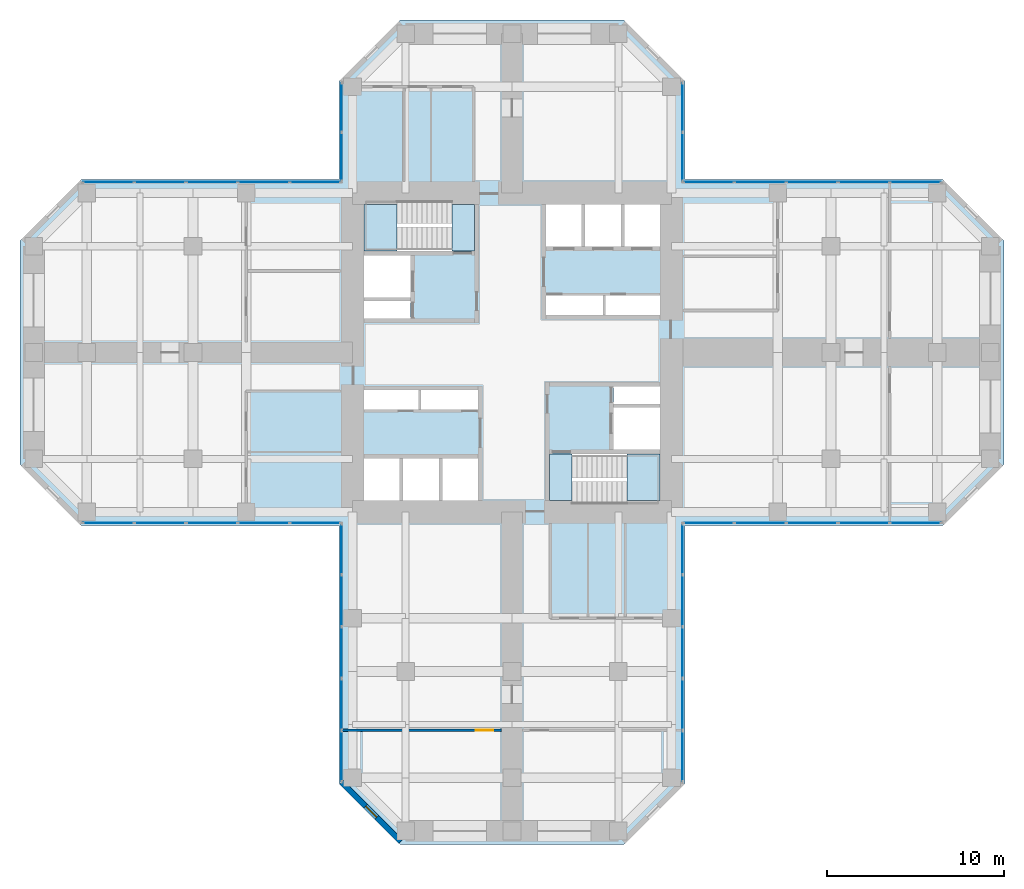
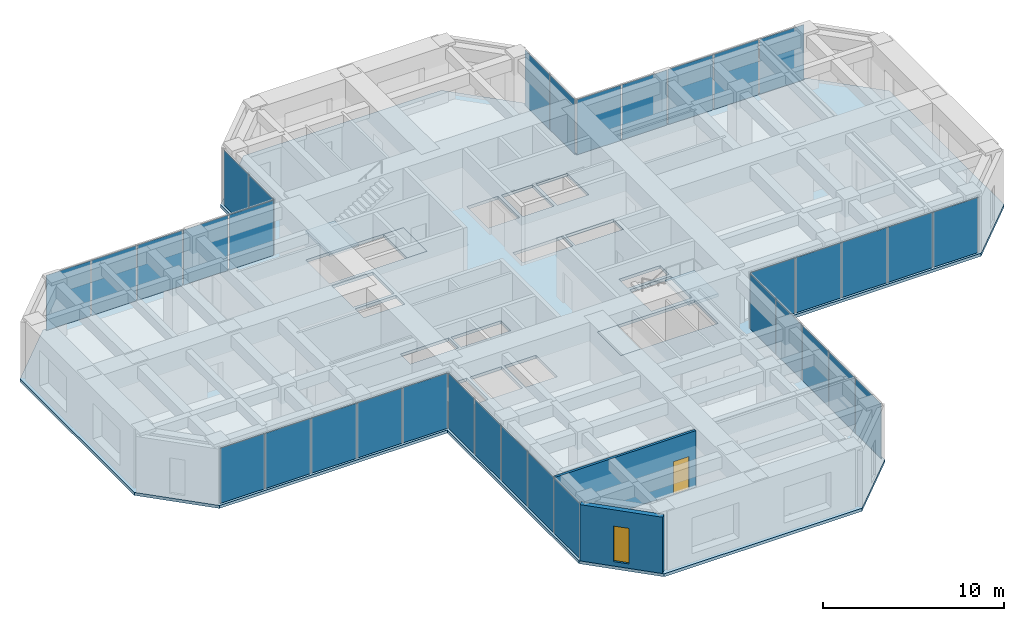
# One storey, part 7 of 12: 34 plates, 5 slabs, 2 walls, 1 door, 1 window, 2 openings, 10 elements without a shape of their own.
"""IFC4 building model written with IfcOpenShell, lengths in metres."""

from ifc_helpers import new_model, si_unit, direction, frame, frame_2d, origin, origin_2d, place, context, subcontext, project, spatial, polyline, rectangle, hollow_rectangle, outline, extrude, material, layer, layer_set, constituent, constituent_set, type_object, element, fill, aggregate, save


model = new_model("IFC4")

# Units and contexts
model_context = context("Model", 3, precision=1e-05, world=origin(), true_north=direction((0.0, 1.0)))
body_context = subcontext(model_context, "Body", "Model", "MODEL_VIEW")
ifc_project = project(units=[si_unit("LENGTHUNIT", "METRE"), si_unit("AREAUNIT", "SQUARE_METRE"), si_unit("VOLUMEUNIT", "CUBIC_METRE"), si_unit("PLANEANGLEUNIT", "RADIAN"), si_unit("MASSUNIT", "GRAM", prefix="KILO")], contexts=[model_context])

# Site, building, storey
site_placement = place(None, origin())
site = spatial("IfcSite", under=ifc_project, at=site_placement, CompositionType="ELEMENT")
building_placement = place(site_placement, origin())
building = spatial("IfcBuilding", under=site, at=building_placement, Name="Torre Cruceta", CompositionType="ELEMENT")
storey_placement = place(building_placement, frame((0.0, 0.0, 144.5)))
storey = spatial("IfcBuildingStorey", under=building, at=storey_placement, Name="L35", CompositionType="ELEMENT", Elevation=144.5)

# Curtain wall, plate
ifc_material_1 = material(Name="Aluminium unitised curtain wall", Category="aluminium")
curtain_wall_type = type_object("IfcCurtainWallType", Name="CURTAIN WALL CW-B OFFICE MID RISE", PredefinedType="USERDEFINED", material=ifc_material_1)
curtain_wall_1_placement = place(storey_placement, origin())
curtain_wall_1 = element("IfcCurtainWall", 1, at=curtain_wall_1_placement, inside=storey, type_object=curtain_wall_type, Name="CW-B L35 E side 00", ObjectType="UNITISED", PredefinedType="USERDEFINED")
ifc_material_2 = material(Name="Laminated insulating glass unit, low-iron clear", Category="glass")
ifc_material_3 = material(Name="Laminated insulating glass unit, diagonal frit 50 %", Category="glass")
ifc_layer_1 = layer(ifc_material_3, 0.031982421875)
ifc_layer_set_1 = layer_set([ifc_layer_1], Name="Laminated insulating glass unit, diagonal frit 50 %")
plate_type_1 = type_object("IfcPlateType", Name="CW-B OPERABLE VENT PANEL 32", PredefinedType="CURTAIN_PANEL", material=ifc_layer_set_1)
plate_1_placement = place(storey_placement, frame((16.9384765625, -9.6201171875, 0.010009765625), z_axis=(0.0, 0.0, 1.0), x_axis=(1.0, 0.0, 0.0)))
plate_1 = element("IfcPlate", 2, at=plate_1_placement, type_object=plate_type_1, material=ifc_material_2, Name="CW-B vent 3", PredefinedType="CURTAIN_PANEL", context=body_context, shape_type="SweptSolid", body=[
    extrude(rectangle(XDim=2.8623046875, YDim=0.031982421875, at=origin_2d()), origin(), (0.0, 0.0, 1.0), 3.72509765625),
])

curtain_wall_2_placement = place(storey_placement, origin())
curtain_wall_2 = element("IfcCurtainWall", 3, at=curtain_wall_2_placement, inside=storey, type_object=curtain_wall_type, Name="CW-B L35 E side 04", ObjectType="UNITISED", PredefinedType="USERDEFINED")
plate_2_placement = place(storey_placement, frame((16.9384765625, 9.6201171875, 0.010009765625), z_axis=(0.0, 0.0, 1.0), x_axis=(-1.0, 0.0, 0.0)))
plate_2 = element("IfcPlate", 4, at=plate_2_placement, type_object=plate_type_1, material=ifc_material_2, Name="CW-B vent 3", PredefinedType="CURTAIN_PANEL", context=body_context, shape_type="SweptSolid", body=[
    extrude(rectangle(XDim=2.8623046875, YDim=0.031982421875, at=origin_2d()), origin(), (0.0, 0.0, 1.0), 3.72509765625),
])

curtain_wall_3_placement = place(storey_placement, origin())
curtain_wall_3 = element("IfcCurtainWall", 5, at=curtain_wall_3_placement, inside=storey, type_object=curtain_wall_type, Name="CW-B L35 W side 10", ObjectType="UNITISED", PredefinedType="USERDEFINED")
plate_3_placement = place(storey_placement, frame((-16.9384765625, 9.6201171875, 0.010009765625), z_axis=(0.0, 0.0, 1.0), x_axis=(-1.0, 0.0, 0.0)))
plate_3 = element("IfcPlate", 6, at=plate_3_placement, type_object=plate_type_1, material=ifc_material_2, Name="CW-B vent 3", PredefinedType="CURTAIN_PANEL", context=body_context, shape_type="SweptSolid", body=[
    extrude(rectangle(XDim=2.8623046875, YDim=0.031982421875, at=origin_2d()), origin(), (0.0, 0.0, 1.0), 3.72509765625),
])

curtain_wall_4_placement = place(storey_placement, origin())
curtain_wall_4 = element("IfcCurtainWall", 7, at=curtain_wall_4_placement, inside=storey, type_object=curtain_wall_type, Name="CW-B L35 W side 14", ObjectType="UNITISED", PredefinedType="USERDEFINED")
plate_4_placement = place(storey_placement, frame((-16.9384765625, -9.6201171875, 0.010009765625), z_axis=(0.0, 0.0, 1.0), x_axis=(1.0, 0.0, 0.0)))
plate_4 = element("IfcPlate", 8, at=plate_4_placement, type_object=plate_type_1, material=ifc_material_2, Name="CW-B vent 3", PredefinedType="CURTAIN_PANEL", context=body_context, shape_type="SweptSolid", body=[
    extrude(rectangle(XDim=2.8623046875, YDim=0.031982421875, at=origin_2d()), origin(), (0.0, 0.0, 1.0), 3.72509765625),
])

curtain_wall_5_placement = place(storey_placement, origin())
curtain_wall_5 = element("IfcCurtainWall", 9, at=curtain_wall_5_placement, inside=storey, type_object=curtain_wall_type, Name="CW-B L35 S side 15", ObjectType="UNITISED", PredefinedType="USERDEFINED")
plate_5_placement = place(storey_placement, frame((-9.6201171875, -16.9384765625, 0.010009765625), z_axis=(0.0, 0.0, 1.0), x_axis=(0.0, -1.0, 0.0)))
plate_5 = element("IfcPlate", 10, at=plate_5_placement, type_object=plate_type_1, material=ifc_material_2, Name="CW-B vent 3", PredefinedType="CURTAIN_PANEL", context=body_context, shape_type="SweptSolid", body=[
    extrude(rectangle(XDim=2.8623046875, YDim=0.031982421875, at=origin_2d()), origin(), (0.0, 0.0, 1.0), 3.72509765625),
])

curtain_wall_6_placement = place(storey_placement, origin())
curtain_wall_6 = element("IfcCurtainWall", 11, at=curtain_wall_6_placement, inside=storey, type_object=curtain_wall_type, Name="CW-B L35 S side 19", ObjectType="UNITISED", PredefinedType="USERDEFINED")
plate_6_placement = place(storey_placement, frame((9.6201171875, -16.9384765625, 0.010009765625), z_axis=(0.0, 0.0, 1.0), x_axis=(0.0, 1.0, 0.0)))
plate_6 = element("IfcPlate", 12, at=plate_6_placement, type_object=plate_type_1, material=ifc_material_2, Name="CW-B vent 3", PredefinedType="CURTAIN_PANEL", context=body_context, shape_type="SweptSolid", body=[
    extrude(rectangle(XDim=2.8623046875, YDim=0.031982421875, at=origin_2d()), origin(), (0.0, 0.0, 1.0), 3.72509765625),
])

# Plate
ifc_material_4 = material(Name="Laminated insulating glass unit, diagonal frit 50 %", Category="glass")
ifc_material_5 = material(Name="Laminated insulating glass unit, diagonal frit 50 %", Category="glass")
ifc_layer_2 = layer(ifc_material_5, 0.031982421875)
ifc_layer_set_2 = layer_set([ifc_layer_2], Name="Laminated insulating glass unit, diagonal frit 50 %")
plate_type_2 = type_object("IfcPlateType", Name="CW-B PANEL 32", PredefinedType="CURTAIN_PANEL", material=ifc_layer_set_2)
plate_7_placement = place(storey_placement, frame((11.099853515625, -9.6201171875, 0.010009765625), z_axis=(0.0, 0.0, 1.0), x_axis=(1.0, 0.0, 0.0)))
plate_7 = element("IfcPlate", 13, at=plate_7_placement, type_object=plate_type_2, material=ifc_material_4, Name="CW-B panel 1", PredefinedType="CURTAIN_PANEL", context=body_context, shape_type="SweptSolid", body=[
    extrude(rectangle(XDim=2.829833984375, YDim=0.031982421875, at=origin_2d()), origin(), (0.0, 0.0, 1.0), 3.72509765625),
])

plate_8_placement = place(storey_placement, frame((14.010986328125, -9.6201171875, 0.010009765625), z_axis=(0.0, 0.0, 1.0), x_axis=(1.0, 0.0, 0.0)))
plate_8 = element("IfcPlate", 14, at=plate_8_placement, type_object=plate_type_2, material=ifc_material_2, Name="CW-B panel 2", PredefinedType="CURTAIN_PANEL", context=body_context, shape_type="SweptSolid", body=[
    extrude(rectangle(XDim=2.8623046875, YDim=0.031982421875, at=origin_2d()), origin(), (0.0, 0.0, 1.0), 3.72509765625),
])

plate_9_placement = place(storey_placement, frame((19.86572265625, -9.6201171875, 0.010009765625), z_axis=(0.0, 0.0, 1.0), x_axis=(1.0, 0.0, 0.0)))
plate_9 = element("IfcPlate", 15, at=plate_9_placement, type_object=plate_type_2, material=ifc_material_4, Name="CW-B panel 4", PredefinedType="CURTAIN_PANEL", context=body_context, shape_type="SweptSolid", body=[
    extrude(rectangle(XDim=2.8623046875, YDim=0.031982421875, at=origin_2d()), origin(), (0.0, 0.0, 1.0), 3.72509765625),
])

plate_10_placement = place(storey_placement, frame((22.77685546875, -9.6201171875, 0.010009765625), z_axis=(0.0, 0.0, 1.0), x_axis=(1.0, 0.0, 0.0)))
plate_10 = element("IfcPlate", 16, at=plate_10_placement, type_object=plate_type_2, material=ifc_material_4, Name="CW-B panel 5", PredefinedType="CURTAIN_PANEL", context=body_context, shape_type="SweptSolid", body=[
    extrude(rectangle(XDim=2.829833984375, YDim=0.031982421875, at=origin_2d()), origin(), (0.0, 0.0, 1.0), 3.72509765625),
])

aggregate(curtain_wall_1, [plate_7, plate_8, plate_1, plate_9, plate_10])

plate_11_placement = place(storey_placement, frame((22.77685546875, 9.6201171875, 0.010009765625), z_axis=(0.0, 0.0, 1.0), x_axis=(-1.0, 0.0, 0.0)))
plate_11 = element("IfcPlate", 17, at=plate_11_placement, type_object=plate_type_2, material=ifc_material_4, Name="CW-B panel 1", PredefinedType="CURTAIN_PANEL", context=body_context, shape_type="SweptSolid", body=[
    extrude(rectangle(XDim=2.829833984375, YDim=0.031982421875, at=origin_2d()), origin(), (0.0, 0.0, 1.0), 3.72509765625),
])

plate_12_placement = place(storey_placement, frame((19.86572265625, 9.6201171875, 0.010009765625), z_axis=(0.0, 0.0, 1.0), x_axis=(-1.0, 0.0, 0.0)))
plate_12 = element("IfcPlate", 18, at=plate_12_placement, type_object=plate_type_2, material=ifc_material_2, Name="CW-B panel 2", PredefinedType="CURTAIN_PANEL", context=body_context, shape_type="SweptSolid", body=[
    extrude(rectangle(XDim=2.8623046875, YDim=0.031982421875, at=origin_2d()), origin(), (0.0, 0.0, 1.0), 3.72509765625),
])

plate_13_placement = place(storey_placement, frame((14.010986328125, 9.6201171875, 0.010009765625), z_axis=(0.0, 0.0, 1.0), x_axis=(-1.0, 0.0, 0.0)))
plate_13 = element("IfcPlate", 19, at=plate_13_placement, type_object=plate_type_2, material=ifc_material_4, Name="CW-B panel 4", PredefinedType="CURTAIN_PANEL", context=body_context, shape_type="SweptSolid", body=[
    extrude(rectangle(XDim=2.8623046875, YDim=0.031982421875, at=origin_2d()), origin(), (0.0, 0.0, 1.0), 3.72509765625),
])

plate_14_placement = place(storey_placement, frame((11.099853515625, 9.6201171875, 0.010009765625), z_axis=(0.0, 0.0, 1.0), x_axis=(-1.0, 0.0, 0.0)))
plate_14 = element("IfcPlate", 20, at=plate_14_placement, type_object=plate_type_2, material=ifc_material_4, Name="CW-B panel 5", PredefinedType="CURTAIN_PANEL", context=body_context, shape_type="SweptSolid", body=[
    extrude(rectangle(XDim=2.829833984375, YDim=0.031982421875, at=origin_2d()), origin(), (0.0, 0.0, 1.0), 3.72509765625),
])

aggregate(curtain_wall_2, [plate_11, plate_12, plate_2, plate_13, plate_14])

# Curtain wall, plates
curtain_wall_7_placement = place(storey_placement, origin())
curtain_wall_7 = element("IfcCurtainWall", 21, at=curtain_wall_7_placement, inside=storey, type_object=curtain_wall_type, Name="CW-B L35 N side 05", ObjectType="UNITISED", PredefinedType="USERDEFINED")
plate_15_placement = place(storey_placement, frame((9.6201171875, 11.04541015625, 0.010009765625), z_axis=(0.0, 0.0, 1.0), x_axis=(0.0, 1.0, 0.0)))
plate_15 = element("IfcPlate", 22, at=plate_15_placement, type_object=plate_type_2, material=ifc_material_4, Name="CW-B panel 1", PredefinedType="CURTAIN_PANEL", context=body_context, shape_type="SweptSolid", body=[
    extrude(rectangle(XDim=2.720947265625, YDim=0.031982421875, at=origin_2d()), origin(), (0.0, 0.0, 1.0), 3.72509765625),
])
plate_16_placement = place(storey_placement, frame((9.6201171875, 13.831298828125, 0.010009765625), z_axis=(0.0, 0.0, 1.0), x_axis=(0.0, 1.0, 0.0)))
plate_16 = element("IfcPlate", 23, at=plate_16_placement, type_object=plate_type_2, material=ifc_material_2, Name="CW-B panel 2", PredefinedType="CURTAIN_PANEL", context=body_context, shape_type="SweptSolid", body=[
    extrude(rectangle(XDim=2.720947265625, YDim=0.031982421875, at=origin_2d()), origin(), (0.0, 0.0, 1.0), 3.72509765625),
])
aggregate(curtain_wall_7, [plate_15, plate_16])

curtain_wall_8_placement = place(storey_placement, origin())
curtain_wall_8 = element("IfcCurtainWall", 24, at=curtain_wall_8_placement, inside=storey, type_object=curtain_wall_type, Name="CW-B L35 N side 09", ObjectType="UNITISED", PredefinedType="USERDEFINED")
plate_17_placement = place(storey_placement, frame((-9.6201171875, 13.831298828125, 0.010009765625), z_axis=(0.0, 0.0, 1.0), x_axis=(0.0, -1.0, 0.0)))
plate_17 = element("IfcPlate", 25, at=plate_17_placement, type_object=plate_type_2, material=ifc_material_4, Name="CW-B panel 1", PredefinedType="CURTAIN_PANEL", context=body_context, shape_type="SweptSolid", body=[
    extrude(rectangle(XDim=2.720947265625, YDim=0.031982421875, at=origin_2d()), origin(), (0.0, 0.0, 1.0), 3.72509765625),
])
plate_18_placement = place(storey_placement, frame((-9.6201171875, 11.04541015625, 0.010009765625), z_axis=(0.0, 0.0, 1.0), x_axis=(0.0, -1.0, 0.0)))
plate_18 = element("IfcPlate", 26, at=plate_18_placement, type_object=plate_type_2, material=ifc_material_2, Name="CW-B panel 2", PredefinedType="CURTAIN_PANEL", context=body_context, shape_type="SweptSolid", body=[
    extrude(rectangle(XDim=2.720947265625, YDim=0.031982421875, at=origin_2d()), origin(), (0.0, 0.0, 1.0), 3.72509765625),
])
aggregate(curtain_wall_8, [plate_17, plate_18])

# Plate
plate_19_placement = place(storey_placement, frame((-11.099853515625, 9.6201171875, 0.010009765625), z_axis=(0.0, 0.0, 1.0), x_axis=(-1.0, 0.0, 0.0)))
plate_19 = element("IfcPlate", 27, at=plate_19_placement, type_object=plate_type_2, material=ifc_material_4, Name="CW-B panel 1", PredefinedType="CURTAIN_PANEL", context=body_context, shape_type="SweptSolid", body=[
    extrude(rectangle(XDim=2.829833984375, YDim=0.031982421875, at=origin_2d()), origin(), (0.0, 0.0, 1.0), 3.72509765625),
])

plate_20_placement = place(storey_placement, frame((-14.010986328125, 9.6201171875, 0.010009765625), z_axis=(0.0, 0.0, 1.0), x_axis=(-1.0, 0.0, 0.0)))
plate_20 = element("IfcPlate", 28, at=plate_20_placement, type_object=plate_type_2, material=ifc_material_2, Name="CW-B panel 2", PredefinedType="CURTAIN_PANEL", context=body_context, shape_type="SweptSolid", body=[
    extrude(rectangle(XDim=2.8623046875, YDim=0.031982421875, at=origin_2d()), origin(), (0.0, 0.0, 1.0), 3.72509765625),
])

plate_21_placement = place(storey_placement, frame((-19.86572265625, 9.6201171875, 0.010009765625), z_axis=(0.0, 0.0, 1.0), x_axis=(-1.0, 0.0, 0.0)))
plate_21 = element("IfcPlate", 29, at=plate_21_placement, type_object=plate_type_2, material=ifc_material_4, Name="CW-B panel 4", PredefinedType="CURTAIN_PANEL", context=body_context, shape_type="SweptSolid", body=[
    extrude(rectangle(XDim=2.8623046875, YDim=0.031982421875, at=origin_2d()), origin(), (0.0, 0.0, 1.0), 3.72509765625),
])

plate_22_placement = place(storey_placement, frame((-22.77685546875, 9.6201171875, 0.010009765625), z_axis=(0.0, 0.0, 1.0), x_axis=(-1.0, 0.0, 0.0)))
plate_22 = element("IfcPlate", 30, at=plate_22_placement, type_object=plate_type_2, material=ifc_material_4, Name="CW-B panel 5", PredefinedType="CURTAIN_PANEL", context=body_context, shape_type="SweptSolid", body=[
    extrude(rectangle(XDim=2.829833984375, YDim=0.031982421875, at=origin_2d()), origin(), (0.0, 0.0, 1.0), 3.72509765625),
])

aggregate(curtain_wall_3, [plate_19, plate_20, plate_3, plate_21, plate_22])

plate_23_placement = place(storey_placement, frame((-22.77685546875, -9.6201171875, 0.010009765625), z_axis=(0.0, 0.0, 1.0), x_axis=(1.0, 0.0, 0.0)))
plate_23 = element("IfcPlate", 31, at=plate_23_placement, type_object=plate_type_2, material=ifc_material_4, Name="CW-B panel 1", PredefinedType="CURTAIN_PANEL", context=body_context, shape_type="SweptSolid", body=[
    extrude(rectangle(XDim=2.829833984375, YDim=0.031982421875, at=origin_2d()), origin(), (0.0, 0.0, 1.0), 3.72509765625),
])

plate_24_placement = place(storey_placement, frame((-19.86572265625, -9.6201171875, 0.010009765625), z_axis=(0.0, 0.0, 1.0), x_axis=(1.0, 0.0, 0.0)))
plate_24 = element("IfcPlate", 32, at=plate_24_placement, type_object=plate_type_2, material=ifc_material_2, Name="CW-B panel 2", PredefinedType="CURTAIN_PANEL", context=body_context, shape_type="SweptSolid", body=[
    extrude(rectangle(XDim=2.8623046875, YDim=0.031982421875, at=origin_2d()), origin(), (0.0, 0.0, 1.0), 3.72509765625),
])

plate_25_placement = place(storey_placement, frame((-14.010986328125, -9.6201171875, 0.010009765625), z_axis=(0.0, 0.0, 1.0), x_axis=(1.0, 0.0, 0.0)))
plate_25 = element("IfcPlate", 33, at=plate_25_placement, type_object=plate_type_2, material=ifc_material_4, Name="CW-B panel 4", PredefinedType="CURTAIN_PANEL", context=body_context, shape_type="SweptSolid", body=[
    extrude(rectangle(XDim=2.8623046875, YDim=0.031982421875, at=origin_2d()), origin(), (0.0, 0.0, 1.0), 3.72509765625),
])

plate_26_placement = place(storey_placement, frame((-11.099853515625, -9.6201171875, 0.010009765625), z_axis=(0.0, 0.0, 1.0), x_axis=(1.0, 0.0, 0.0)))
plate_26 = element("IfcPlate", 34, at=plate_26_placement, type_object=plate_type_2, material=ifc_material_4, Name="CW-B panel 5", PredefinedType="CURTAIN_PANEL", context=body_context, shape_type="SweptSolid", body=[
    extrude(rectangle(XDim=2.829833984375, YDim=0.031982421875, at=origin_2d()), origin(), (0.0, 0.0, 1.0), 3.72509765625),
])

aggregate(curtain_wall_4, [plate_23, plate_24, plate_4, plate_25, plate_26])

plate_27_placement = place(storey_placement, frame((-9.6201171875, -11.099853515625, 0.010009765625), z_axis=(0.0, 0.0, 1.0), x_axis=(0.0, -1.0, 0.0)))
plate_27 = element("IfcPlate", 35, at=plate_27_placement, type_object=plate_type_2, material=ifc_material_4, Name="CW-B panel 1", PredefinedType="CURTAIN_PANEL", context=body_context, shape_type="SweptSolid", body=[
    extrude(rectangle(XDim=2.829833984375, YDim=0.031982421875, at=origin_2d()), origin(), (0.0, 0.0, 1.0), 3.72509765625),
])

plate_28_placement = place(storey_placement, frame((-9.6201171875, -14.010986328125, 0.010009765625), z_axis=(0.0, 0.0, 1.0), x_axis=(0.0, -1.0, 0.0)))
plate_28 = element("IfcPlate", 36, at=plate_28_placement, type_object=plate_type_2, material=ifc_material_2, Name="CW-B panel 2", PredefinedType="CURTAIN_PANEL", context=body_context, shape_type="SweptSolid", body=[
    extrude(rectangle(XDim=2.8623046875, YDim=0.031982421875, at=origin_2d()), origin(), (0.0, 0.0, 1.0), 3.72509765625),
])

plate_29_placement = place(storey_placement, frame((-9.6201171875, -19.86572265625, 0.010009765625), z_axis=(0.0, 0.0, 1.0), x_axis=(0.0, -1.0, 0.0)))
plate_29 = element("IfcPlate", 37, at=plate_29_placement, type_object=plate_type_2, material=ifc_material_4, Name="CW-B panel 4", PredefinedType="CURTAIN_PANEL", context=body_context, shape_type="SweptSolid", body=[
    extrude(rectangle(XDim=2.8623046875, YDim=0.031982421875, at=origin_2d()), origin(), (0.0, 0.0, 1.0), 3.72509765625),
])

plate_30_placement = place(storey_placement, frame((-9.6201171875, -22.77685546875, 0.010009765625), z_axis=(0.0, 0.0, 1.0), x_axis=(0.0, -1.0, 0.0)))
plate_30 = element("IfcPlate", 38, at=plate_30_placement, type_object=plate_type_2, material=ifc_material_4, Name="CW-B panel 5", PredefinedType="CURTAIN_PANEL", context=body_context, shape_type="SweptSolid", body=[
    extrude(rectangle(XDim=2.829833984375, YDim=0.031982421875, at=origin_2d()), origin(), (0.0, 0.0, 1.0), 3.72509765625),
])

aggregate(curtain_wall_5, [plate_27, plate_28, plate_5, plate_29, plate_30])

plate_31_placement = place(storey_placement, frame((9.6201171875, -22.77685546875, 0.010009765625), z_axis=(0.0, 0.0, 1.0), x_axis=(0.0, 1.0, 0.0)))
plate_31 = element("IfcPlate", 39, at=plate_31_placement, type_object=plate_type_2, material=ifc_material_4, Name="CW-B panel 1", PredefinedType="CURTAIN_PANEL", context=body_context, shape_type="SweptSolid", body=[
    extrude(rectangle(XDim=2.829833984375, YDim=0.031982421875, at=origin_2d()), origin(), (0.0, 0.0, 1.0), 3.72509765625),
])

plate_32_placement = place(storey_placement, frame((9.6201171875, -19.86572265625, 0.010009765625), z_axis=(0.0, 0.0, 1.0), x_axis=(0.0, 1.0, 0.0)))
plate_32 = element("IfcPlate", 40, at=plate_32_placement, type_object=plate_type_2, material=ifc_material_2, Name="CW-B panel 2", PredefinedType="CURTAIN_PANEL", context=body_context, shape_type="SweptSolid", body=[
    extrude(rectangle(XDim=2.8623046875, YDim=0.031982421875, at=origin_2d()), origin(), (0.0, 0.0, 1.0), 3.72509765625),
])

plate_33_placement = place(storey_placement, frame((9.6201171875, -14.010986328125, 0.010009765625), z_axis=(0.0, 0.0, 1.0), x_axis=(0.0, 1.0, 0.0)))
plate_33 = element("IfcPlate", 41, at=plate_33_placement, type_object=plate_type_2, material=ifc_material_4, Name="CW-B panel 4", PredefinedType="CURTAIN_PANEL", context=body_context, shape_type="SweptSolid", body=[
    extrude(rectangle(XDim=2.8623046875, YDim=0.031982421875, at=origin_2d()), origin(), (0.0, 0.0, 1.0), 3.72509765625),
])

plate_34_placement = place(storey_placement, frame((9.6201171875, -11.099853515625, 0.010009765625), z_axis=(0.0, 0.0, 1.0), x_axis=(0.0, 1.0, 0.0)))
plate_34 = element("IfcPlate", 42, at=plate_34_placement, type_object=plate_type_2, material=ifc_material_4, Name="CW-B panel 5", PredefinedType="CURTAIN_PANEL", context=body_context, shape_type="SweptSolid", body=[
    extrude(rectangle(XDim=2.829833984375, YDim=0.031982421875, at=origin_2d()), origin(), (0.0, 0.0, 1.0), 3.72509765625),
])

aggregate(curtain_wall_6, [plate_31, plate_32, plate_6, plate_33, plate_34])

# Slab
ifc_material_6 = material(Name="Concrete G35 (fck 35 MPa)", Category="concrete")
ifc_layer_3 = layer(ifc_material_6, 0.199951171875)
ifc_layer_set_3 = layer_set([ifc_layer_3], Name="Concrete G35 (fck 35 MPa)")
slab_type_1 = type_object("IfcSlabType", Name="FLOOR SLAB 200", PredefinedType="FLOOR", material=ifc_layer_set_3)
slab_1_placement = place(storey_placement, frame((0.0, 0.0, -0.199951171875)))
element("IfcSlab", 43, at=slab_1_placement, inside=storey, type_object=slab_type_1, Name="Floor Slab L35", PredefinedType="FLOOR", context=body_context, shape_type="SweptSolid", body=[
    extrude(outline(polyline([(9.77001953125, -9.77001953125), (9.77001953125, -24.31884765625), (6.31884765625, -27.77001953125), (-6.31884765625, -27.77001953125), (-9.77001953125, -24.31884765625), (-9.77001953125, -9.77001953125), (-24.31884765625, -9.77001953125), (-27.77001953125, -6.31884765625), (-27.77001953125, 6.31884765625), (-24.31884765625, 9.77001953125), (-9.77001953125, 9.77001953125), (-9.77001953125, 15.31884765625), (-6.31884765625, 18.77001953125), (6.31884765625, 18.77001953125), (9.77001953125, 15.31884765625), (9.77001953125, 9.77001953125), (24.31884765625, 9.77001953125), (27.77001953125, 6.31884765625), (27.77001953125, -6.31884765625), (24.31884765625, -9.77001953125), (9.77001953125, -9.77001953125)]), holes=[polyline([(1.925048828125, 5.97509765625), (3.933349609375, 5.97509765625), (3.933349609375, 8.35009765625), (1.925048828125, 8.35009765625), (1.925048828125, 5.97509765625)]), polyline([(4.13330078125, 5.97509765625), (6.1416015625, 5.97509765625), (6.1416015625, 8.35009765625), (4.13330078125, 8.35009765625), (4.13330078125, 5.97509765625)]), polyline([(6.341552734375, 5.97509765625), (8.35009765625, 5.97509765625), (8.35009765625, 8.35009765625), (6.341552734375, 8.35009765625), (6.341552734375, 5.97509765625)]), polyline([(1.925048828125, 2.125), (5.125, 2.125), (5.125, 3.22509765625), (1.925048828125, 3.22509765625), (1.925048828125, 2.125)]), polyline([(5.27490234375, 2.125), (8.35009765625, 2.125), (8.35009765625, 3.22509765625), (5.27490234375, 3.22509765625), (5.27490234375, 2.125)]), polyline([(-8.35009765625, 3.10009765625), (-5.72509765625, 3.10009765625), (-5.72509765625, 5.47509765625), (-8.35009765625, 5.47509765625), (-8.35009765625, 3.10009765625)]), polyline([(-8.35009765625, 1.925048828125), (-5.72509765625, 1.925048828125), (-5.72509765625, 2.89990234375), (-8.35009765625, 2.89990234375), (-8.35009765625, 1.925048828125)]), polyline([(-3.933349609375, -8.35009765625), (-1.925048828125, -8.35009765625), (-1.925048828125, -5.97509765625), (-3.933349609375, -5.97509765625), (-3.933349609375, -8.35009765625)]), polyline([(-6.1416015625, -8.35009765625), (-4.13330078125, -8.35009765625), (-4.13330078125, -5.97509765625), (-6.1416015625, -5.97509765625), (-6.1416015625, -8.35009765625)]), polyline([(-8.35009765625, -8.35009765625), (-6.341552734375, -8.35009765625), (-6.341552734375, -5.97509765625), (-8.35009765625, -5.97509765625), (-8.35009765625, -8.35009765625)]), polyline([(-5.125, -3.22509765625), (-1.925048828125, -3.22509765625), (-1.925048828125, -2.125), (-5.125, -2.125), (-5.125, -3.22509765625)]), polyline([(-8.35009765625, -3.22509765625), (-5.27490234375, -3.22509765625), (-5.27490234375, -2.125), (-8.35009765625, -2.125), (-8.35009765625, -3.22509765625)]), polyline([(5.72509765625, -5.47509765625), (8.35009765625, -5.47509765625), (8.35009765625, -3.10009765625), (5.72509765625, -3.10009765625), (5.72509765625, -5.47509765625)]), polyline([(5.72509765625, -2.89990234375), (8.35009765625, -2.89990234375), (8.35009765625, -1.925048828125), (5.72509765625, -1.925048828125), (5.72509765625, -2.89990234375)]), polyline([(-8.35009765625, 5.72509765625), (-8.35009765625, 8.35009765625), (-3.39990234375, 8.35009765625), (-2.125, 8.35009765625), (-2.125, 5.72509765625), (-3.39990234375, 5.72509765625), (-8.35009765625, 5.72509765625)]), polyline([(2.125, -5.72509765625), (3.39990234375, -5.72509765625), (8.35009765625, -5.72509765625), (8.35009765625, -8.35009765625), (3.39990234375, -8.35009765625), (2.125, -8.35009765625), (2.125, -5.72509765625)])]), origin(), (0.0, 0.0, 1.0), 0.199951171875),
])

# Stair, slab
ifc_material_7 = material(Name="Concrete G30 (fck 30 MPa)", Category="concrete")
stair_type = type_object("IfcStairType", Name="STAIR HALF-TURN 1300", PredefinedType="HALF_TURN_STAIR", material=ifc_material_7)
stair_1_placement = place(storey_placement, origin())
stair_1 = element("IfcStair", 44, at=stair_1_placement, inside=storey, type_object=stair_type, Name="Stair ST1 L35", PredefinedType="HALF_TURN_STAIR")
ifc_material_8 = material(Name="Concrete G30 (fck 30 MPa)", Category="concrete")
ifc_layer_4 = layer(ifc_material_8, 0.199951171875)
ifc_layer_set_4 = layer_set([ifc_layer_4], Name="Concrete G30 (fck 30 MPa)")
slab_type_2 = type_object("IfcSlabType", Name="STAIR LANDING 200", PredefinedType="LANDING", material=ifc_layer_set_4)
slab_2_placement = place(storey_placement, frame((0.0, 0.0, 1.800048828125)))
slab_2 = element("IfcSlab", 45, at=slab_2_placement, type_object=slab_type_2, Name="ST1 landing 1", PredefinedType="LANDING", context=body_context, shape_type="SweptSolid", body=[
    extrude(outline(polyline([(-8.35009765625, 5.72509765625), (-6.47998046875, 5.72509765625), (-6.47998046875, 8.35009765625), (-8.35009765625, 8.35009765625), (-8.35009765625, 5.72509765625)])), origin(), (0.0, 0.0, 1.0), 0.199951171875),
])
aggregate(stair_1, [slab_2])

stair_2_placement = place(storey_placement, origin())
stair_2 = element("IfcStair", 46, at=stair_2_placement, inside=storey, type_object=stair_type, Name="Stair ST2 L35", PredefinedType="HALF_TURN_STAIR")
slab_3_placement = place(storey_placement, frame((0.0, 0.0, 1.800048828125)))
slab_3 = element("IfcSlab", 47, at=slab_3_placement, type_object=slab_type_2, Name="ST2 landing 1", PredefinedType="LANDING", context=body_context, shape_type="SweptSolid", body=[
    extrude(outline(polyline([(6.47998046875, -8.35009765625), (8.35009765625, -8.35009765625), (8.35009765625, -5.72509765625), (6.47998046875, -5.72509765625), (6.47998046875, -8.35009765625)])), origin(), (0.0, 0.0, 1.0), 0.199951171875),
])
aggregate(stair_2, [slab_3])

# Slabs
slab_4_placement = place(storey_placement, frame((0.0, 0.0, -0.199951171875)))
element("IfcSlab", 48, at=slab_4_placement, inside=storey, type_object=slab_type_2, Name="Stair ST1 floor landing L35", PredefinedType="LANDING", context=body_context, shape_type="SweptSolid", body=[
    extrude(outline(polyline([(-2.125, 8.35009765625), (-2.125, 5.72509765625), (-3.39990234375, 5.72509765625), (-3.39990234375, 8.35009765625), (-2.125, 8.35009765625)])), origin(), (0.0, 0.0, 1.0), 0.199951171875),
])
slab_5_placement = place(storey_placement, frame((0.0, 0.0, -0.199951171875)))
element("IfcSlab", 49, at=slab_5_placement, inside=storey, type_object=slab_type_2, Name="Stair ST2 floor landing L35", PredefinedType="LANDING", context=body_context, shape_type="SweptSolid", body=[
    extrude(outline(polyline([(2.125, -8.35009765625), (2.125, -5.72509765625), (3.39990234375, -5.72509765625), (3.39990234375, -8.35009765625), (2.125, -8.35009765625)])), origin(), (0.0, 0.0, 1.0), 0.199951171875),
])

# Wall, opening, window
ifc_material_9 = material(Name="Concrete G30 (fck 30 MPa)", Category="concrete")
ifc_layer_5 = layer(ifc_material_9, 0.300048828125)
ifc_layer_set_5 = layer_set([ifc_layer_5], Name="Concrete G30 (fck 30 MPa)")
wall_type_1 = type_object("IfcWallType", Name="EXPOSED CONCRETE FACADE WALL 300", PredefinedType="SOLIDWALL", material=ifc_layer_set_5)
wall_1_placement = place(storey_placement, frame((-9.6201171875, -24.2568359375, 0.0), z_axis=(0.0, 0.0, 1.0), x_axis=(0.707106781187, -0.707106781187, 0.0)))
wall_1 = element("IfcWall", 50, at=wall_1_placement, inside=storey, type_object=wall_type_1, Name="EW1 facade wall L35 S chamfer 16", PredefinedType="SOLIDWALL", context=body_context, shape_type="SweptSolid", body=[
    extrude(rectangle(XDim=4.72802734375, YDim=0.300048828125, at=frame_2d((2.364013671875, 0.0))), origin(), (0.0, 0.0, 1.0), 3.800048828125),
])
opening_1_placement = place(wall_1_placement, frame((1.9140625, 0.0, 0.300048828125)))
opening_1 = element("IfcOpeningElement", 51, at=opening_1_placement, cuts=wall_1, Name="Opening WN5", PredefinedType="OPENING", context=body_context, shape_type="SweptSolid", body=[
    extrude(rectangle(XDim=0.89990234375, YDim=2.39990234375, at=frame_2d((0.449951171875, 1.199951171875))), frame((0.0, 0.159912109375, 0.0), z_axis=(0.0, -1.0, 0.0), x_axis=(1.0, 0.0, 0.0)), (0.0, 0.0, 1.0), 0.320068359375),
])
ifc_material_10 = material(Name="Aluminium window frame", Category="aluminium")
ifc_constituent_1 = constituent(ifc_material_10, Name="Frame")
ifc_material_11 = material(Name="Laminated insulating glass unit, low-iron clear", Category="glass")
ifc_constituent_2 = constituent(ifc_material_11, Name="Glazing")
ifc_constituent_set_1 = constituent_set(constituents=[ifc_constituent_1, ifc_constituent_2], Name="Aluminium window")
window_type = type_object("IfcWindowType", Name="CHAMFER SLOT WINDOW 900X2400", PartitioningType="SINGLE_PANEL", PredefinedType="WINDOW", material=ifc_constituent_set_1)
window_placement = place(opening_1_placement, origin())
window = element("IfcWindow", 52, at=window_placement, inside=storey, type_object=window_type, Name="WN5 L35 S 1", OverallHeight=2.39990234375, OverallWidth=0.89990234375, PartitioningType="SINGLE_PANEL", PredefinedType="WINDOW", context=body_context, shape_type="SweptSolid", body=[
    extrude(hollow_rectangle(XDim=0.89990234375, YDim=2.39990234375, WallThickness=0.06005859375, at=frame_2d((0.449951171875, 1.199951171875))), frame((0.0, 0.030029296875, 0.0), z_axis=(0.0, -1.0, 0.0), x_axis=(1.0, 0.0, 0.0)), (0.0, 0.0, 1.0), 0.06005859375),
    extrude(rectangle(XDim=0.77880859375, YDim=2.27880859375, at=frame_2d((0.449951171875, 1.199951171875))), frame((0.0, 0.030029296875, 0.0), z_axis=(0.0, -1.0, 0.0), x_axis=(1.0, 0.0, 0.0)), (0.0, 0.0, 1.0), 0.06005859375),
])
fill(opening_1, window)

# Wall, opening, door
ifc_material_12 = material(Name="Plasterboard on steel studs", Category="steel")
ifc_layer_6 = layer(ifc_material_12, 0.14990234375)
ifc_layer_set_6 = layer_set([ifc_layer_6], Name="Plasterboard on steel studs")
wall_type_2 = type_object("IfcWallType", Name="PARTITION 150", PredefinedType="PARTITIONING", material=ifc_layer_set_6)
wall_2_placement = place(storey_placement, frame((-9.580078125, -21.320068359375, 0.0), z_axis=(0.0, 0.0, 1.0), x_axis=(1.0, 0.0, 0.0)))
wall_2 = element("IfcWall", 53, at=wall_2_placement, inside=storey, type_object=wall_type_2, Name="PT1 L35-S-TWR", PredefinedType="PARTITIONING", context=body_context, shape_type="SweptSolid", body=[
    extrude(rectangle(XDim=8.97998046875, YDim=0.14990234375, at=frame_2d((4.489990234375, 0.0))), origin(), (0.0, 0.0, 1.0), 3.800048828125),
])
opening_2_placement = place(wall_2_placement, frame((7.530029296875, 0.0, 0.0)))
opening_2 = element("IfcOpeningElement", 54, at=opening_2_placement, cuts=wall_2, Name="Opening D14", PredefinedType="OPENING", context=body_context, shape_type="SweptSolid", body=[
    extrude(rectangle(XDim=1.0, YDim=2.199951171875, at=frame_2d((0.5, 1.10009765625))), frame((0.0, 0.0849609375, 0.0), z_axis=(0.0, -1.0, 0.0), x_axis=(1.0, 0.0, 0.0)), (0.0, 0.0, 1.0), 0.169921875),
])
ifc_material_13 = material(Name="Steel DX51D", Category="steel")
ifc_constituent_3 = constituent(ifc_material_13, Name="Leaf and frame")
ifc_material_14 = material(Name="Polyester powder coating", Category="paint")
ifc_constituent_4 = constituent(ifc_material_14, Name="Finish")
ifc_material_15 = material(Name="Fire-resisting glass", Category="glass")
ifc_constituent_5 = constituent(ifc_material_15, Name="Vision panel")
ifc_constituent_set_2 = constituent_set(constituents=[ifc_constituent_3, ifc_constituent_4, ifc_constituent_5], Name="Steel fire door with vision panel")
door_type = type_object("IfcDoorType", Name="FIRE DOOR VISION PANEL 1000X2200", OperationType="SINGLE_SWING_RIGHT", PredefinedType="DOOR", material=ifc_constituent_set_2)
door_placement = place(opening_2_placement, frame((1.0, 0.0, 0.0), z_axis=(0.0, 0.0, 1.0), x_axis=(-1.0, 0.0, 0.0)))
door = element("IfcDoor", 55, at=door_placement, inside=storey, type_object=door_type, Name="D14 L35-S-TWR-D1", OperationType="SINGLE_SWING_LEFT", OverallHeight=2.199951171875, OverallWidth=1.0, PredefinedType="DOOR", context=body_context, shape_type="SweptSolid", body=[
    extrude(rectangle(XDim=1.0, YDim=2.199951171875, at=frame_2d((0.5, 1.10009765625))), frame((0.0, 0.025146484375, 0.0), z_axis=(0.0, -1.0, 0.0), x_axis=(1.0, 0.0, 0.0)), (0.0, 0.0, 1.0), 0.050048828125),
])
fill(opening_2, door)

save(model, "model.ifc")
